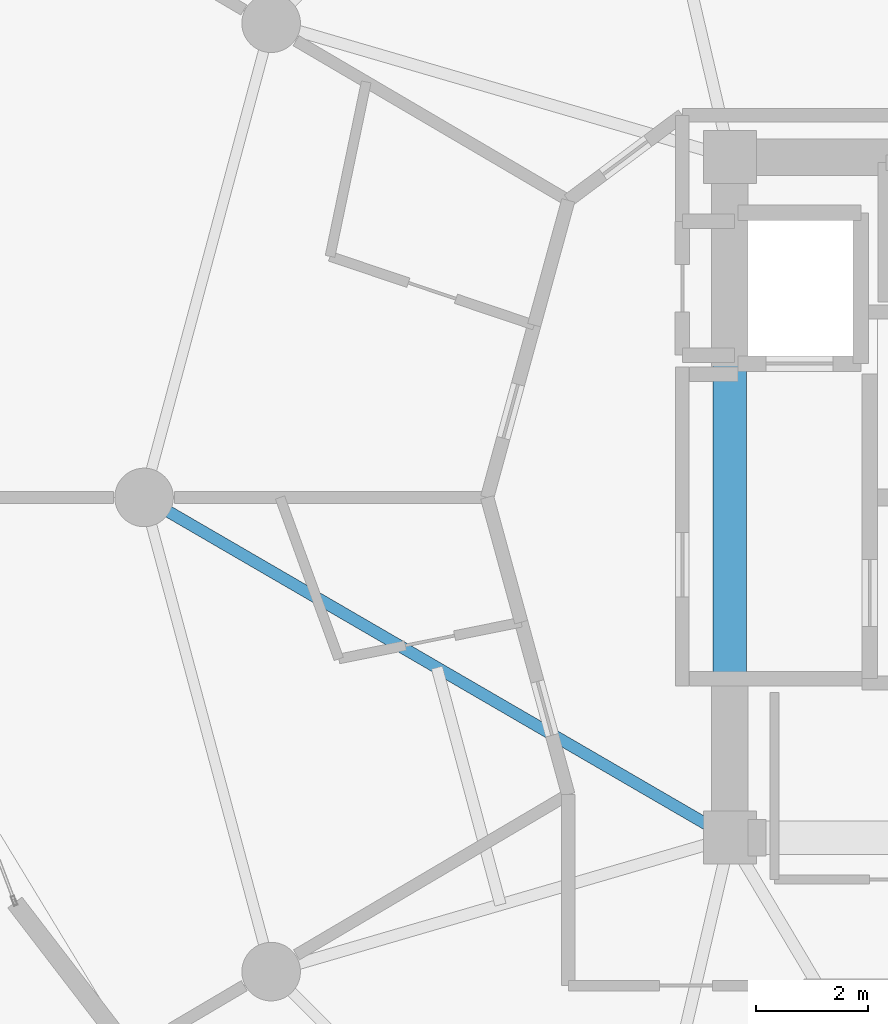
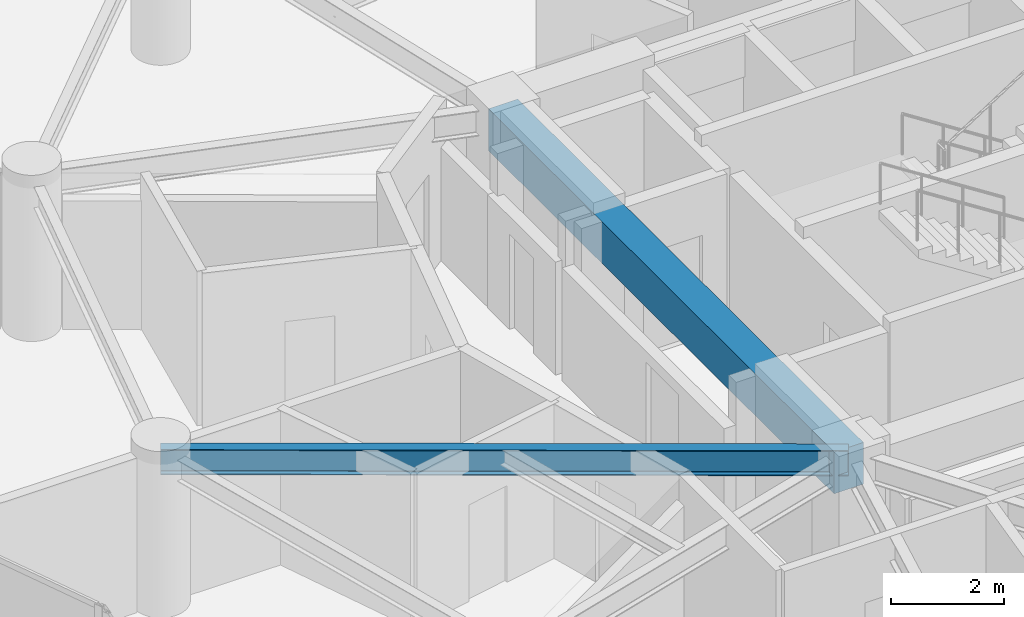
# One storey, part 7 of 25: 2 beams.
"""IFC4 building model written with IfcOpenShell, lengths in metres."""

from ifc_helpers import new_model, si_unit, direction, frame, origin, origin_2d, place, context, subcontext, project, spatial, rectangle, i_section, extrude, material, material_profile, profile_set, type_object, element, save


model = new_model("IFC4")

# Units and contexts
model_context = context("Model", 3, precision=1e-05, world=origin(), true_north=direction((0.0, 1.0)))
body_context = subcontext(model_context, "Body", "Model", "MODEL_VIEW")
ifc_project = project(units=[si_unit("LENGTHUNIT", "METRE"), si_unit("AREAUNIT", "SQUARE_METRE"), si_unit("VOLUMEUNIT", "CUBIC_METRE"), si_unit("PLANEANGLEUNIT", "RADIAN"), si_unit("MASSUNIT", "GRAM", prefix="KILO")], contexts=[model_context])

# Site, building, storey
site_placement = place(None, origin())
site = spatial("IfcSite", under=ifc_project, at=site_placement, CompositionType="ELEMENT")
building_placement = place(site_placement, origin())
building = spatial("IfcBuilding", under=site, at=building_placement, Name="Solvirekh Grand Hotel", CompositionType="ELEMENT")
storey_placement = place(building_placement, frame((0.0, 0.0, 102.60009765625)))
storey = spatial("IfcBuildingStorey", under=building, at=storey_placement, Name="L25", CompositionType="ELEMENT", Elevation=102.60009765625)

# Beams
ifc_material_1 = material(Name="Concrete C50/60", Category="concrete")
ifc_material_profile_1 = material_profile(ifc_material_1, rectangle(XDim=0.60009765625, YDim=0.89990234375, at=origin_2d()), Name="RC BEAM 600X900")
ifc_profile_set_1 = profile_set([ifc_material_profile_1], Name="Concrete C50/60")
beam_type_1 = type_object("IfcBeamType", Name="Beam_Core_RC900", PredefinedType="BEAM", material=ifc_profile_set_1)
beam_1_placement = place(storey_placement, frame((-6.5, 6.10009765625, 2.89990234375), z_axis=(0.0, -1.0, 0.0), x_axis=(1.0, 0.0, 0.0)))
element("IfcBeam", 1, at=beam_1_placement, inside=storey, type_object=beam_type_1, Name="L25 core coupling ring beam 4", PredefinedType="BEAM", context=body_context, shape_type="SweptSolid", body=[
    extrude(rectangle(XDim=0.60009765625, YDim=0.89990234375, at=origin_2d()), origin(), (0.0, 0.0, 1.0), 12.2001953125),
])
ifc_material_2 = material(Name="Steel S355", Category="steel")
ifc_material_profile_2 = material_profile(ifc_material_2, i_section(OverallWidth=0.2119140625, OverallDepth=0.5439453125, WebThickness=0.011962890625, FlangeThickness=0.01904296875, FilletRadius=0.013916015625, at=origin_2d()), Name="W530X123")
ifc_profile_set_2 = profile_set([ifc_material_profile_2], Name="Steel S355")
beam_type_2 = type_object("IfcBeamType", Name="Beam_Radial_W530H", PredefinedType="BEAM", material=ifc_profile_set_2)
beam_2_placement = place(storey_placement, frame((-6.5, -6.10009765625, 3.077880859375), z_axis=(-0.864670076815, 0.50234018181, 0.0), x_axis=(-0.50234018181, -0.864670076815, 0.0)))
element("IfcBeam", 2, at=beam_2_placement, inside=storey, type_object=beam_type_2, Name="L25 radial floor beam R07", PredefinedType="BEAM", context=body_context, shape_type="SweptSolid", body=[
    extrude(i_section(OverallWidth=0.2119140625, OverallDepth=0.5439453125, WebThickness=0.011962890625, FlangeThickness=0.01904296875, FilletRadius=0.013916015625, at=origin_2d()), origin(), (0.0, 0.0, 1.0), 12.143310546875),
])

save(model, "model.ifc")
